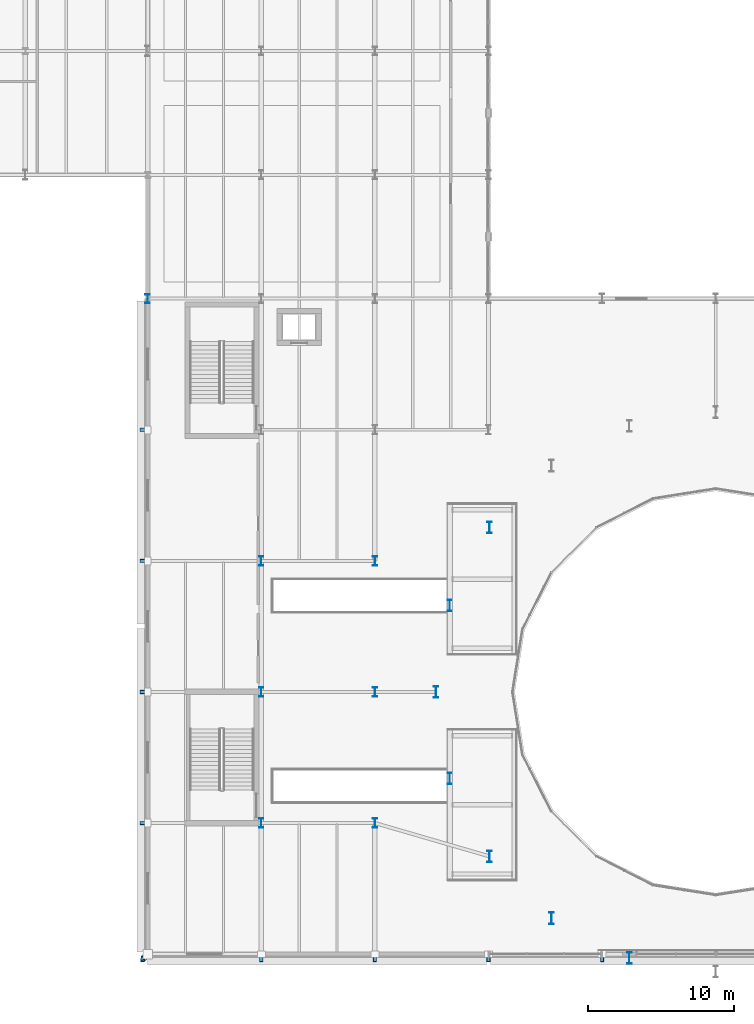
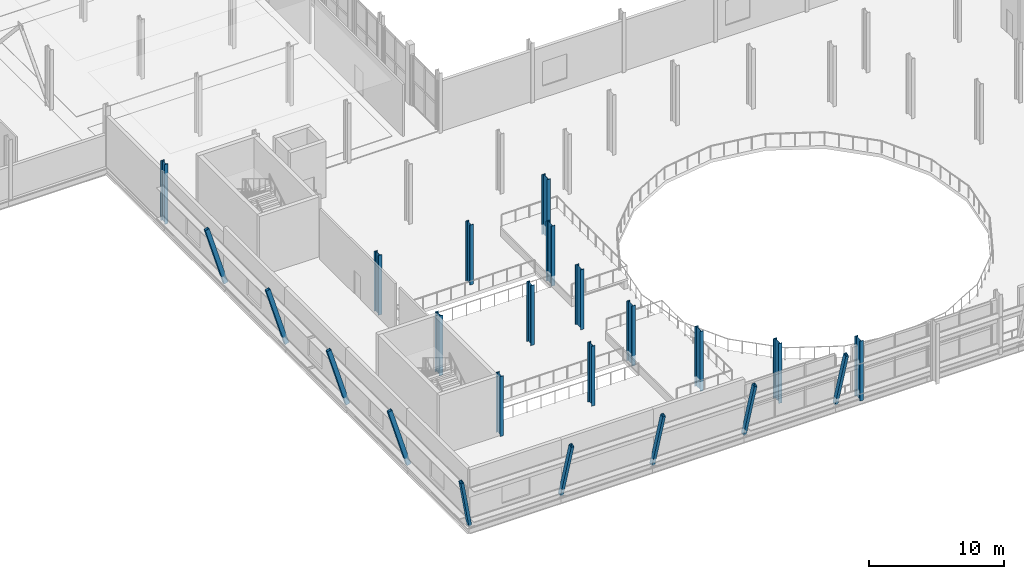
# One storey, part 1 of 78: 23 columns.
"""IFC4 building model written with IfcOpenShell, lengths in metres."""

from ifc_helpers import new_model, si_unit, direction, frame, origin, origin_2d, place, context, subcontext, project, spatial, hollow_rectangle, i_section, extrude, material, material_profile, profile_set, type_object, element, save


model = new_model("IFC4")

# Units and contexts
model_context = context("Model", 3, precision=1e-05, world=origin(), true_north=direction((0.0, 1.0)))
body_context = subcontext(model_context, "Body", "Model", "MODEL_VIEW")
ifc_project = project(units=[si_unit("LENGTHUNIT", "METRE"), si_unit("AREAUNIT", "SQUARE_METRE"), si_unit("VOLUMEUNIT", "CUBIC_METRE"), si_unit("PLANEANGLEUNIT", "RADIAN"), si_unit("MASSUNIT", "GRAM", prefix="KILO")], contexts=[model_context])

# Site, building, storey
site_placement = place(None, origin())
site = spatial("IfcSite", under=ifc_project, at=site_placement, CompositionType="ELEMENT")
building_placement = place(site_placement, origin())
building = spatial("IfcBuilding", under=site, at=building_placement, Name="Sefraquen Railside Congress Hotel", CompositionType="ELEMENT")
storey_placement = place(building_placement, frame((0.0, 0.0, 6.0)))
storey = spatial("IfcBuildingStorey", under=building, at=storey_placement, Name="L01", CompositionType="ELEMENT", Elevation=6.0)

# Columns
ifc_material_1 = material(Name="Steel S355JR", Category="steel")
ifc_material_profile_1 = material_profile(ifc_material_1, i_section(OverallWidth=0.300048828125, OverallDepth=0.60009765625, WebThickness=0.015380859375, FlangeThickness=0.030029296875, FilletRadius=0.027099609375, at=origin_2d()), Name="HEB 600")
ifc_profile_set_1 = profile_set([ifc_material_profile_1], Name="Steel S355JR")
column_type_1 = type_object("IfcColumnType", Name="TC-HEB-600", PredefinedType="COLUMN", material=ifc_profile_set_1)
column_1_placement = place(storey_placement, frame((25.199951171875, 54.0, 0.0), z_axis=(0.0, 0.0, 1.0), x_axis=(1.0, 0.0, 0.0)))
element("IfcColumn", 1, at=column_1_placement, inside=storey, type_object=column_type_1, Name="Structural column 4-G L01", PredefinedType="COLUMN", context=body_context, shape_type="SweptSolid", body=[
    extrude(i_section(OverallWidth=0.300048828125, OverallDepth=0.60009765625, WebThickness=0.015380859375, FlangeThickness=0.030029296875, FilletRadius=0.027099609375, at=origin_2d()), origin(), (0.0, 0.0, 1.0), 5.39990234375),
])
ifc_material_profile_2 = material_profile(ifc_material_1, i_section(OverallWidth=0.300048828125, OverallDepth=0.64990234375, WebThickness=0.01611328125, FlangeThickness=0.031005859375, FilletRadius=0.027099609375, at=origin_2d()), Name="HEB 650")
ifc_profile_set_2 = profile_set([ifc_material_profile_2], Name="Steel S355JR")
column_type_2 = type_object("IfcColumnType", Name="TC-HEB-650", PredefinedType="COLUMN", material=ifc_profile_set_2)
for number, where, z_axis, x_axis, name in (
    (2, (33.0, 18.0, 0.0), (0.0, 0.0, 1.0), (1.0, 0.0, 0.0), "Structural column 5-C L01"),
    (3, (33.0, 27.0, 0.0), (0.0, 0.0, 1.0), (1.0, 0.0, 0.0), "Structural column 5-D L01"),
    (4, (33.0, 36.0, 0.0), (0.0, 0.0, 1.0), (1.0, 0.0, 0.0), "Structural column 5-E L01"),
    (5, (40.800048828125, 18.0, 0.0), (0.0, 0.0, 1.0), (1.0, 0.0, 0.0), "Structural column 6-C L01"),
    (6, (40.800048828125, 27.0, 0.0), (0.0, 0.0, 1.0), (1.0, 0.0, 0.0), "Structural column 6-D L01"),
    (7, (40.800048828125, 36.0, 0.0), (0.0, 0.0, 1.0), (1.0, 0.0, 0.0), "Structural column 6-E L01"),
):
    element("IfcColumn", number, at=place(storey_placement, frame(where, z_axis=z_axis, x_axis=x_axis)), inside=storey, type_object=column_type_2, Name=name, PredefinedType="COLUMN", context=body_context, shape_type="SweptSolid", body=[
        extrude(i_section(OverallWidth=0.300048828125, OverallDepth=0.64990234375, WebThickness=0.01611328125, FlangeThickness=0.031005859375, FilletRadius=0.027099609375, at=origin_2d()), origin(), (0.0, 0.0, 1.0), 5.39990234375),
    ])
ifc_material_profile_3 = material_profile(ifc_material_1, i_section(OverallWidth=0.300048828125, OverallDepth=0.800048828125, WebThickness=0.017578125, FlangeThickness=0.032958984375, FilletRadius=0.030029296875, at=origin_2d()), Name="HEB 800")
ifc_profile_set_3 = profile_set([ifc_material_profile_3], Name="Steel S355JR")
column_type_3 = type_object("IfcColumnType", Name="TC-HEB-800", PredefinedType="COLUMN", material=ifc_profile_set_3)
for number, where, z_axis, x_axis, name in (
    (8, (48.6669921875, 38.285400390625, 0.0), (0.0, 0.0, 1.0), (1.0, 0.0, 0.0), "Structural column DRM-09 L01"),
    (9, (45.939697265625, 32.93310546875, 0.0), (0.0, 0.0, 1.0), (1.0, 0.0, 0.0), "Structural column DRM-10 L01"),
    (10, (45.0, 27.0, 0.0), (0.0, 0.0, 1.0), (1.0, 0.0, 0.0), "Structural column DRM-11 L01"),
    (11, (45.939697265625, 21.06689453125, 0.0), (0.0, 0.0, 1.0), (1.0, 0.0, 0.0), "Structural column DRM-12 L01"),
    (12, (48.6669921875, 15.714599609375, 0.0), (0.0, 0.0, 1.0), (1.0, 0.0, 0.0), "Structural column DRM-13 L01"),
    (13, (52.91455078125, 11.466796875, 0.0), (0.0, 0.0, 1.0), (1.0, 0.0, 0.0), "Structural column DRM-14 L01"),
    (14, (58.266845703125, 8.73974609375, 0.0), (0.0, 0.0, 1.0), (1.0, 0.0, 0.0), "Structural column DRM-15 L01"),
):
    element("IfcColumn", number, at=place(storey_placement, frame(where, z_axis=z_axis, x_axis=x_axis)), inside=storey, type_object=column_type_3, Name=name, PredefinedType="COLUMN", context=body_context, shape_type="SweptSolid", body=[
        extrude(i_section(OverallWidth=0.300048828125, OverallDepth=0.800048828125, WebThickness=0.017578125, FlangeThickness=0.032958984375, FilletRadius=0.030029296875, at=origin_2d()), origin(), (0.0, 0.0, 1.0), 5.39990234375),
    ])
ifc_material_2 = material(Name="Steel S355J2", Category="steel")
ifc_material_profile_4 = material_profile(ifc_material_2, hollow_rectangle(XDim=0.25, YDim=0.35009765625, WallThickness=0.01611328125, at=origin_2d()), Name="RHS 350x250x16")
ifc_profile_set_4 = profile_set([ifc_material_profile_4], Name="Steel S355J2")
column_type_4 = type_object("IfcColumnType", Name="TC-INC-600", PredefinedType="USERDEFINED", material=ifc_profile_set_4)
for number, where, z_axis, x_axis, name in (
    (15, (33.0, 9.0, 0.030029296875), (0.0, -0.285679378709, 0.958325254066), (1.0, 0.0, 0.0), "Inclined Congress hull column S-5 L01"),
    (16, (40.800048828125, 9.0, 0.030029296875), (0.0, -0.285679378709, 0.958325254066), (1.0, 0.0, 0.0), "Inclined Congress hull column S-6 L01"),
    (17, (48.60009765625, 9.0, 0.030029296875), (0.0, -0.285679378709, 0.958325254066), (1.0, 0.0, 0.0), "Inclined Congress hull column S-7 L01"),
    (18, (56.39990234375, 9.0, 0.030029296875), (0.0, -0.285679378709, 0.958325254066), (1.0, 0.0, 0.0), "Inclined Congress hull column S-8 L01"),
):
    element("IfcColumn", number, at=place(storey_placement, frame(where, z_axis=z_axis, x_axis=x_axis)), inside=storey, type_object=column_type_4, Name=name, ObjectType="INCLINED COLUMN", PredefinedType="USERDEFINED", context=body_context, shape_type="SweptSolid", body=[
        extrude(hollow_rectangle(XDim=0.25, YDim=0.35009765625, WallThickness=0.01611328125, at=origin_2d()), origin(), (0.0, 0.0, 1.0), 5.599365234375),
    ])
column_2_placement = place(storey_placement, frame((25.199951171875, 9.0, 0.0400390625), z_axis=(-0.275125809269, -0.275125809269, 0.921201160523), x_axis=(0.960600580261, -0.039399419739, 0.275125809269)))
element("IfcColumn", 19, at=column_2_placement, inside=storey, type_object=column_type_4, Name="Inclined Congress corner column SW-4B L01", ObjectType="INCLINED COLUMN", PredefinedType="USERDEFINED", context=body_context, shape_type="SweptSolid", body=[
    extrude(hollow_rectangle(XDim=0.25, YDim=0.35009765625, WallThickness=0.01611328125, at=origin_2d()), origin(), (0.0, 0.0, 1.0), 5.814208984375),
])
for number, where, z_axis, x_axis, name in (
    (20, (25.199951171875, 18.0, 0.030029296875), (-0.285679378709, 0.0, 0.958325254066), (0.0, -1.0, 0.0), "Inclined Congress hull column W-C L01"),
    (21, (25.199951171875, 27.0, 0.030029296875), (-0.285679378709, 0.0, 0.958325254066), (0.0, -1.0, 0.0), "Inclined Congress hull column W-D L01"),
    (22, (25.199951171875, 36.0, 0.030029296875), (-0.285679378709, 0.0, 0.958325254066), (0.0, -1.0, 0.0), "Inclined Congress hull column W-E L01"),
    (23, (25.199951171875, 45.0, 0.030029296875), (-0.285679378709, 0.0, 0.958325254066), (0.0, -1.0, 0.0), "Inclined Congress hull column W-F L01"),
):
    element("IfcColumn", number, at=place(storey_placement, frame(where, z_axis=z_axis, x_axis=x_axis)), inside=storey, type_object=column_type_4, Name=name, ObjectType="INCLINED COLUMN", PredefinedType="USERDEFINED", context=body_context, shape_type="SweptSolid", body=[
        extrude(hollow_rectangle(XDim=0.25, YDim=0.35009765625, WallThickness=0.01611328125, at=origin_2d()), origin(), (0.0, 0.0, 1.0), 5.599365234375),
    ])

save(model, "model.ifc")
